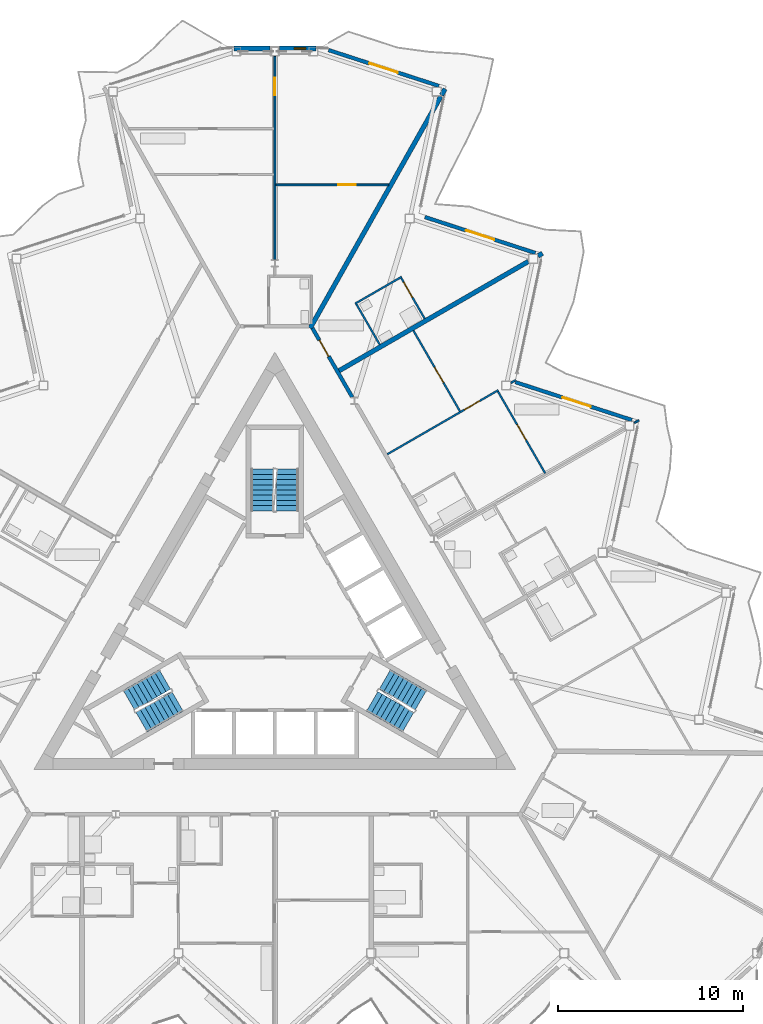
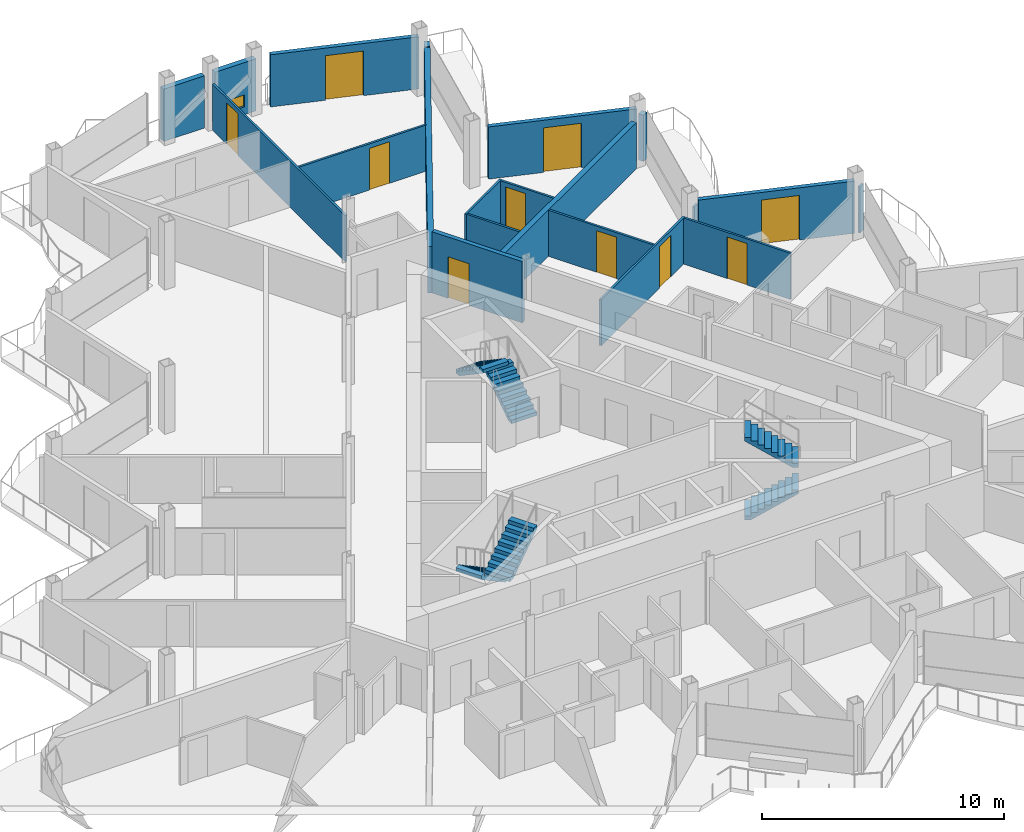
# One storey, part 18 of 26: 20 walls, 10 doors, 6 stair flights, 1 window, 11 openings, 3 elements without a shape of their own.
"""IFC4 building model written with IfcOpenShell, lengths in metres."""

import ifcopenshell
import ifcopenshell.guid

model = None  # the IFC model being written
_history = None  # IfcOwnerHistory: only IFC2X3 demands one
_inside = {}  # id of a spatial element -> (the spatial element, [elements in it])
_under = {}  # id of a project, library or spatial element -> (it, [spatial elements below it])
_declared = {}  # id of a project -> (the project, [libraries it declares])
_typed = {}  # id of a type object -> (the type object, [elements of that type])
_made_of = {}  # id of a material, layer set ... -> (it, [elements and type objects made of it])


def new_model(schema):
    """Start an empty IFC model of exactly this schema.

    Asked for "IFC4X3", IfcOpenShell would pick the latest addendum, in which some entities
    have other attributes; the version numbers below select the first issue.
    IFC2X3 requires an IfcOwnerHistory on every rooted entity: one is made here for all.
    """
    global model, _history
    if schema == "IFC4X3":
        model = ifcopenshell.file(schema_version=(4, 3, 0, 0))
    else:
        model = ifcopenshell.file(schema=schema)
    _inside.clear()
    _under.clear()
    _declared.clear()
    _typed.clear()
    _made_of.clear()
    _history = None
    if model.schema == "IFC2X3":
        org = make("IfcOrganization", Name="unknown")
        user = make(
            "IfcPersonAndOrganization",
            ThePerson=make("IfcPerson", FamilyName="unknown"),
            TheOrganization=org,
        )
        app = make(
            "IfcApplication",
            ApplicationDeveloper=org,
            Version="unknown",
            ApplicationFullName="unknown",
            ApplicationIdentifier="unknown",
        )
        _history = make(
            "IfcOwnerHistory",
            OwningUser=user,
            OwningApplication=app,
            ChangeAction="ADDED",
            CreationDate=0,
        )
    return model


def make(cls, **values):
    """One entity of the class cls with the attributes given. An attribute that is None is left unset."""
    return model.create_entity(
        cls, **{name: value for name, value in values.items() if value is not None}
    )


def rooted(cls, **values):
    """An entity with a GlobalId (a new one), such as an element, a storey or a relation."""
    return make(cls, GlobalId=ifcopenshell.guid.new(), OwnerHistory=_history, **values)


def si_unit(unit_type, name, prefix=None):
    """IfcSIUnit, for example si_unit("LENGTHUNIT", "METRE", prefix="MILLI")."""
    return make("IfcSIUnit", UnitType=unit_type, Prefix=prefix, Name=name)


def assignment(units):
    """IfcUnitAssignment: the units of a project."""
    return None if units is None else make("IfcUnitAssignment", Units=units)


def point(xyz):
    """IfcCartesianPoint."""
    return None if xyz is None else make("IfcCartesianPoint", Coordinates=xyz)


def direction(xyz):
    """IfcDirection."""
    return None if xyz is None else make("IfcDirection", DirectionRatios=xyz)


def frame(location, z_axis=None, x_axis=None):
    """IfcAxis2Placement3D, a coordinate frame: its origin and axes. An axis left out is left unset."""
    return make(
        "IfcAxis2Placement3D",
        Location=point(location),
        Axis=direction(z_axis),
        RefDirection=direction(x_axis),
    )


def frame_2d(location, x_axis=None):
    """IfcAxis2Placement2D, a coordinate frame in the plane: its origin and x axis."""
    return make(
        "IfcAxis2Placement2D", Location=point(location), RefDirection=direction(x_axis)
    )


def origin():
    """The frame at (0, 0, 0) with its axes left unset."""
    return frame((0.0, 0.0, 0.0))


def place(relative_to, where):
    """IfcLocalPlacement: puts the frame where relative to a parent placement (None: the world)."""
    return make(
        "IfcLocalPlacement", PlacementRelTo=relative_to, RelativePlacement=where
    )


def context(
    kind, dimensions, precision=None, world=None, true_north=None, identifier=None
):
    """IfcGeometricRepresentationContext, for example the 3D "Model" context."""
    return make(
        "IfcGeometricRepresentationContext",
        ContextIdentifier=identifier,
        ContextType=kind,
        CoordinateSpaceDimension=dimensions,
        Precision=precision,
        WorldCoordinateSystem=world,
        TrueNorth=true_north,
    )


def subcontext(parent, identifier, kind, view, scale=None):
    """IfcGeometricRepresentationSubContext, for example "Body" below "Model"."""
    return make(
        "IfcGeometricRepresentationSubContext",
        ContextIdentifier=identifier,
        ContextType=kind,
        ParentContext=parent,
        TargetScale=scale,
        TargetView=view,
    )


def project(units=None, contexts=None):
    """IfcProject with its units and contexts."""
    return rooted(
        "IfcProject",
        Name="project",
        RepresentationContexts=contexts,
        UnitsInContext=assignment(units),
    )


def spatial(cls, under=None, at=None, **own):
    """A site, building, storey or space (cls), placed at a placement, below another one or the project."""
    s = rooted(cls, ObjectPlacement=at, **own)
    if under is not None:
        _under.setdefault(under.id(), (under, []))[1].append(s)
    return s


def polyline(points):
    """IfcPolyline through the points."""
    return make("IfcPolyline", Points=[point(p) for p in points])


def profile(cls, at=None, kind="AREA", **sizes):
    """A parametric profile (cls). Its sizes go by their IFC names, for example OverallWidth=200.0."""
    return make(cls, ProfileType=kind, Position=at, **sizes)


def rectangle(**sizes):
    """IfcRectangleProfileDef."""
    return profile("IfcRectangleProfileDef", **sizes)


def outline(outer, holes=None, kind="AREA"):
    """IfcArbitraryClosedProfileDef: a profile drawn as a closed curve; with holes, ...WithVoids."""
    if holes is None:
        return make("IfcArbitraryClosedProfileDef", ProfileType=kind, OuterCurve=outer)
    return make(
        "IfcArbitraryProfileDefWithVoids",
        ProfileType=kind,
        OuterCurve=outer,
        InnerCurves=holes,
    )


def extrude(swept, where, along, depth):
    """IfcExtrudedAreaSolid: the profile swept, set in the frame where, extruded along a direction by depth."""
    return make(
        "IfcExtrudedAreaSolid",
        SweptArea=swept,
        Position=where,
        ExtrudedDirection=direction(along),
        Depth=depth,
    )


def shape(context_of_items, identifier, shape_type, items):
    """IfcShapeRepresentation: the items that make up one representation, for example the "Body"."""
    return make(
        "IfcShapeRepresentation",
        ContextOfItems=context_of_items,
        RepresentationIdentifier=identifier,
        RepresentationType=shape_type,
        Items=items,
    )


def material(Name=None, Category=None):
    """IfcMaterial."""
    return make("IfcMaterial", Name=Name, Category=Category)


def layer(
    of_material, thickness, ventilated=None, Name=None, Category=None, Priority=None
):
    """IfcMaterialLayer: one layer of a wall or slab, of a material (None: an air gap)."""
    return make(
        "IfcMaterialLayer",
        Material=of_material,
        LayerThickness=thickness,
        IsVentilated=ventilated,
        Name=Name,
        Category=Category,
        Priority=Priority,
    )


def layer_set(layers, Name=None):
    """IfcMaterialLayerSet."""
    return make("IfcMaterialLayerSet", MaterialLayers=layers, LayerSetName=Name)


def made_of(thing, what):
    """Note that an element or type object is made of a material, layer set ...; save() writes the relation."""
    if what is not None:
        _made_of.setdefault(what.id(), (what, []))[1].append(thing)
    return thing


def type_object(cls, material=None, **own):
    """A type object (cls), such as IfcWallType, which elements share."""
    return made_of(rooted(cls, **own), material)


def element(
    cls,
    number,
    at=None,
    inside=None,
    cuts=None,
    type_object=None,
    material=None,
    context=None,
    identifier="Body",
    shape_type=None,
    held_by="IfcProductDefinitionShape",
    body=None,
    shapes=None,
    **own,
):
    """One element of the class cls, such as IfcWall. Its Tag is "e" and its number.

    at: its placement. inside: the storey or other place that contains it. cuts: it is an
    opening in that element (IfcRelVoidsElement). A single representation is given by context,
    identifier, shape_type and body (its items); several are given by shapes. held_by: the class
    of the entity that holds the representations. save() writes the other relations.
    """
    e = rooted(cls, Tag="e%d" % number, ObjectPlacement=at, **own)
    if body is not None:
        shapes = [shape(context, identifier, shape_type, body)]
    if shapes is not None:
        e.Representation = make(held_by, Representations=shapes)
    if inside is not None:
        _inside.setdefault(inside.id(), (inside, []))[1].append(e)
    if cuts is not None:
        rooted(
            "IfcRelVoidsElement", RelatingBuildingElement=cuts, RelatedOpeningElement=e
        )
    if type_object is not None:
        _typed.setdefault(type_object.id(), (type_object, []))[1].append(e)
    return made_of(e, material)


def fill(opening, filler):
    """IfcRelFillsElement: the door or window that sits in an opening."""
    return rooted(
        "IfcRelFillsElement",
        RelatingOpeningElement=opening,
        RelatedBuildingElement=filler,
    )


def aggregate(whole, parts):
    """IfcRelAggregates: a whole, such as a stair, and the parts it consists of."""
    return rooted("IfcRelAggregates", RelatingObject=whole, RelatedObjects=parts)


def save(model, path):
    """Write the relations noted so far, then the file.

    IfcRelAggregates (storeys below a building ...), IfcRelContainedInSpatialStructure (elements
    in a storey), IfcRelDefinesByType, IfcRelAssociatesMaterial and IfcRelDeclares: one each for
    every whole, place, type object, material and project.
    """
    for whole, parts in _under.values():
        aggregate(whole, parts)
    for where, things in _inside.values():
        rooted(
            "IfcRelContainedInSpatialStructure",
            RelatedElements=things,
            RelatingStructure=where,
        )
    for kind, things in _typed.values():
        rooted("IfcRelDefinesByType", RelatedObjects=things, RelatingType=kind)
    for what, things in _made_of.values():
        rooted("IfcRelAssociatesMaterial", RelatedObjects=things, RelatingMaterial=what)
    for by, libraries in _declared.values():
        rooted("IfcRelDeclares", RelatingContext=by, RelatedDefinitions=libraries)
    model.write(path)


model = new_model("IFC4")

# Units and contexts
model_context = context("Model", 3, precision=1e-05, world=origin(), true_north=direction((0.0, 1.0)))
body_context = subcontext(model_context, "Body", "Model", "MODEL_VIEW")
ifc_project = project(units=[si_unit("LENGTHUNIT", "METRE"), si_unit("AREAUNIT", "SQUARE_METRE"), si_unit("VOLUMEUNIT", "CUBIC_METRE"), si_unit("PLANEANGLEUNIT", "RADIAN"), si_unit("MASSUNIT", "GRAM", prefix="KILO")], contexts=[model_context])

# Site, building, storey
site_placement = place(None, origin())
site = spatial("IfcSite", under=ifc_project, at=site_placement, CompositionType="ELEMENT")
building_placement = place(site_placement, origin())
building = spatial("IfcBuilding", under=site, at=building_placement, Name="Cormorant Prow Tower", CompositionType="ELEMENT")
storey_placement = place(building_placement, frame((0.0, 0.0, 378.0)))
storey = spatial("IfcBuildingStorey", under=building, at=storey_placement, Name="L85", CompositionType="ELEMENT", Elevation=378.0)

# Wall, opening, door
ifc_material_1 = material(Name="Gypsum board corridor wall")
ifc_layer_1 = layer(ifc_material_1, 0.199951171875)
ifc_layer_set_1 = layer_set([ifc_layer_1], Name="Gypsum board corridor wall")
wall_type_1 = type_object("IfcWallType", Name="Corridor wall 200", PredefinedType="PARTITIONING", material=ifc_layer_set_1)
wall_1_placement = place(storey_placement, frame((2.025390625, 16.302978515625, 0.0), z_axis=(0.0, 0.0, 1.0), x_axis=(0.500004215162, -0.866022970146, 0.0)))
wall_1 = element("IfcWall", 1, at=wall_1_placement, inside=storey, type_object=wall_type_1, Name="Corridor wall", PredefinedType="PARTITIONING", context=body_context, shape_type="SweptSolid", body=[
    extrude(rectangle(XDim=4.30029296875, YDim=0.199951171875, at=frame_2d((2.150146484375, 0.0))), origin(), (0.0, 0.0, 1.0), 3.10009765625),
])
opening_1_placement = place(wall_1_placement, frame((0.75, 0.0, 0.0)))
opening_1 = element("IfcOpeningElement", 2, at=opening_1_placement, cuts=wall_1, Name="Opening L85-F35", PredefinedType="OPENING", context=body_context, shape_type="SweptSolid", body=[
    extrude(rectangle(XDim=1.0, YDim=2.10009765625, at=frame_2d((0.5, 1.050048828125))), frame((0.0, 0.10986328125, 0.0), z_axis=(0.0, -1.0, 0.0), x_axis=(1.0, 0.0, 0.0)), (0.0, 0.0, 1.0), 0.219970703125),
])
ifc_material_2 = material(Name="Timber door leaf", Category="wood")
door_type_1 = type_object("IfcDoorType", Name="Flat or room entrance door 1000x2100", OperationType="NOTDEFINED", PredefinedType="DOOR", material=ifc_material_2)
door_1_placement = place(opening_1_placement, origin())
door_1 = element("IfcDoor", 3, at=door_1_placement, inside=storey, type_object=door_type_1, Name="Studio living, kitchen and sleeping room door", OperationType="SINGLE_SWING_RIGHT", OverallHeight=2.10009765625, OverallWidth=1.0, PredefinedType="DOOR", context=body_context, shape_type="SweptSolid", body=[
    extrude(rectangle(XDim=1.0, YDim=2.10009765625, at=frame_2d((0.5, 1.050048828125))), frame((0.0, 0.02490234375, 0.0), z_axis=(0.0, -1.0, 0.0), x_axis=(1.0, 0.0, 0.0)), (0.0, 0.0, 1.0), 0.050048828125),
])
fill(opening_1, door_1)

ifc_material_3 = material(Name="Gypsum board partition")
ifc_layer_2 = layer(ifc_material_3, 0.10009765625)
ifc_layer_set_2 = layer_set([ifc_layer_2], Name="Gypsum board partition")
wall_type_2 = type_object("IfcWallType", Name="Internal partition 100", PredefinedType="PARTITIONING", material=ifc_layer_set_2)
wall_2_placement = place(storey_placement, frame((0.0, 20.008056640625, 0.0), z_axis=(0.0, 0.0, 1.0), x_axis=(0.0, 1.0, 0.0)))
wall_2 = element("IfcWall", 4, at=wall_2_placement, inside=storey, type_object=wall_type_2, Name="Internal partition", PredefinedType="PARTITIONING", context=body_context, shape_type="SweptSolid", body=[
    extrude(rectangle(XDim=10.951416015625, YDim=0.10009765625, at=frame_2d((5.4755859375, 0.0))), origin(), (0.0, 0.0, 1.0), 2.330078125),
])
opening_2_placement = place(wall_2_placement, frame((8.851318359375, 0.0, 0.0)))
opening_2 = element("IfcOpeningElement", 5, at=opening_2_placement, cuts=wall_2, Name="Opening L85-F41", PredefinedType="OPENING", context=body_context, shape_type="SweptSolid", body=[
    extrude(rectangle(XDim=0.949951171875, YDim=2.10009765625, at=frame_2d((0.47509765625, 1.050048828125))), frame((0.0, 0.06005859375, 0.0), z_axis=(0.0, -1.0, 0.0), x_axis=(1.0, 0.0, 0.0)), (0.0, 0.0, 1.0), 0.1201171875),
])
ifc_material_4 = material(Name="Timber door leaf", Category="wood")
door_type_2 = type_object("IfcDoorType", Name="Bathroom door 950x2100", OperationType="NOTDEFINED", PredefinedType="DOOR", material=ifc_material_4)
door_2_placement = place(opening_2_placement, origin())
door_2 = element("IfcDoor", 6, at=door_2_placement, inside=storey, type_object=door_type_2, Name="Dining room door", OperationType="SINGLE_SWING_RIGHT", OverallHeight=2.10009765625, OverallWidth=0.949951171875, PredefinedType="DOOR", context=body_context, shape_type="SweptSolid", body=[
    extrude(rectangle(XDim=0.949951171875, YDim=2.10009765625, at=frame_2d((0.47509765625, 1.050048828125))), frame((0.0, 0.02490234375, 0.0), z_axis=(0.0, -1.0, 0.0), x_axis=(1.0, 0.0, 0.0)), (0.0, 0.0, 1.0), 0.050048828125),
])
fill(opening_2, door_2)

wall_3_placement = place(storey_placement, frame((6.065185546875, 9.506103515625, 0.0), z_axis=(0.0, 0.0, 1.0), x_axis=(0.866029020252, 0.499993736042, 0.0)))
wall_3 = element("IfcWall", 7, at=wall_3_placement, inside=storey, type_object=wall_type_2, Name="Internal partition", PredefinedType="PARTITIONING", context=body_context, shape_type="SweptSolid", body=[
    extrude(rectangle(XDim=6.9072265625, YDim=0.10009765625, at=frame_2d((3.45361328125, 0.0))), origin(), (0.0, 0.0, 1.0), 2.330078125),
])
opening_3_placement = place(wall_3_placement, frame((4.7978515625, 0.0, 0.0)))
opening_3 = element("IfcOpeningElement", 8, at=opening_3_placement, cuts=wall_3, Name="Opening L85-F32", PredefinedType="OPENING", context=body_context, shape_type="SweptSolid", body=[
    extrude(rectangle(XDim=0.949951171875, YDim=2.10009765625, at=frame_2d((0.47509765625, 1.050048828125))), frame((0.0, 0.06005859375, 0.0), z_axis=(0.0, -1.0, 0.0), x_axis=(1.0, 0.0, 0.0)), (0.0, 0.0, 1.0), 0.1201171875),
])
door_3_placement = place(opening_3_placement, origin())
door_3 = element("IfcDoor", 9, at=door_3_placement, inside=storey, type_object=door_type_2, Name="Living room door", OperationType="SINGLE_SWING_LEFT", OverallHeight=2.10009765625, OverallWidth=0.949951171875, PredefinedType="DOOR", context=body_context, shape_type="SweptSolid", body=[
    extrude(rectangle(XDim=0.949951171875, YDim=2.10009765625, at=frame_2d((0.47509765625, 1.050048828125))), frame((0.0, 0.02490234375, 0.0), z_axis=(0.0, -1.0, 0.0), x_axis=(1.0, 0.0, 0.0)), (0.0, 0.0, 1.0), 0.050048828125),
])
fill(opening_3, door_3)

wall_4_placement = place(storey_placement, frame((0.050048828125, 24.03125, 0.0), z_axis=(0.0, 0.0, 1.0), x_axis=(1.0, 0.0, 0.0)))
wall_4 = element("IfcWall", 10, at=wall_4_placement, inside=storey, type_object=wall_type_2, Name="Internal partition", PredefinedType="PARTITIONING", context=body_context, shape_type="SweptSolid", body=[
    extrude(rectangle(XDim=6.085693359375, YDim=0.10009765625, at=frame_2d((3.04296875, 0.0))), origin(), (0.0, 0.0, 1.0), 2.330078125),
])
opening_4_placement = place(wall_4_placement, frame((3.3740234375, 0.0, 0.0)))
opening_4 = element("IfcOpeningElement", 11, at=opening_4_placement, cuts=wall_4, Name="Opening L85-F42", PredefinedType="OPENING", context=body_context, shape_type="SweptSolid", body=[
    extrude(rectangle(XDim=0.949951171875, YDim=2.10009765625, at=frame_2d((0.47509765625, 1.050048828125))), frame((0.0, 0.06005859375, 0.0), z_axis=(0.0, -1.0, 0.0), x_axis=(1.0, 0.0, 0.0)), (0.0, 0.0, 1.0), 0.1201171875),
])
door_4_placement = place(opening_4_placement, origin())
door_4 = element("IfcDoor", 12, at=door_4_placement, inside=storey, type_object=door_type_2, Name="Principal bedroom door", OperationType="SINGLE_SWING_RIGHT", OverallHeight=2.10009765625, OverallWidth=0.949951171875, PredefinedType="DOOR", context=body_context, shape_type="SweptSolid", body=[
    extrude(rectangle(XDim=0.949951171875, YDim=2.10009765625, at=frame_2d((0.47509765625, 1.050048828125))), frame((0.0, 0.02490234375, 0.0), z_axis=(0.0, -1.0, 0.0), x_axis=(1.0, 0.0, 0.0)), (0.0, 0.0, 1.0), 0.050048828125),
])
fill(opening_4, door_4)

wall_5_placement = place(storey_placement, frame((7.4677734375, 16.176025390625, 0.0), z_axis=(0.0, 0.0, 1.0), x_axis=(0.499990214365, -0.86603105345, 0.0)))
wall_5 = element("IfcWall", 13, at=wall_5_placement, inside=storey, type_object=wall_type_2, Name="Internal partition", PredefinedType="PARTITIONING", context=body_context, shape_type="SweptSolid", body=[
    extrude(rectangle(XDim=5.02490234375, YDim=0.10009765625, at=frame_2d((2.512451171875, 0.0))), origin(), (0.0, 0.0, 1.0), 2.330078125),
])
opening_5_placement = place(wall_5_placement, frame((2.29296875, 0.0, 0.0)))
opening_5 = element("IfcOpeningElement", 14, at=opening_5_placement, cuts=wall_5, Name="Opening L85-F33", PredefinedType="OPENING", context=body_context, shape_type="SweptSolid", body=[
    extrude(rectangle(XDim=0.949951171875, YDim=2.10009765625, at=frame_2d((0.47509765625, 1.050048828125))), frame((0.0, 0.06005859375, 0.0), z_axis=(0.0, -1.0, 0.0), x_axis=(1.0, 0.0, 0.0)), (0.0, 0.0, 1.0), 0.1201171875),
])
door_5_placement = place(opening_5_placement, origin())
door_5 = element("IfcDoor", 15, at=door_5_placement, inside=storey, type_object=door_type_2, Name="Bedroom door", OperationType="SINGLE_SWING_LEFT", OverallHeight=2.10009765625, OverallWidth=0.949951171875, PredefinedType="DOOR", context=body_context, shape_type="SweptSolid", body=[
    extrude(rectangle(XDim=0.949951171875, YDim=2.10009765625, at=frame_2d((0.47509765625, 1.050048828125))), frame((0.0, 0.02490234375, 0.0), z_axis=(0.0, -1.0, 0.0), x_axis=(1.0, 0.0, 0.0)), (0.0, 0.0, 1.0), 0.050048828125),
])
fill(opening_5, door_5)

wall_6_placement = place(storey_placement, frame((12.02880859375, 12.8916015625, 0.0), z_axis=(0.0, 0.0, 1.0), x_axis=(0.500005610874, -0.86602216432, 0.0)))
wall_6 = element("IfcWall", 16, at=wall_6_placement, inside=storey, type_object=wall_type_2, Name="Internal partition", PredefinedType="PARTITIONING", context=body_context, shape_type="SweptSolid", body=[
    extrude(rectangle(XDim=5.10009765625, YDim=0.10009765625, at=frame_2d((2.550048828125, 0.0))), origin(), (0.0, 0.0, 1.0), 2.330078125),
])
opening_6_placement = place(wall_6_placement, frame((2.074951171875, 0.0, 0.0)))
opening_6 = element("IfcOpeningElement", 17, at=opening_6_placement, cuts=wall_6, Name="Opening L85-F29", PredefinedType="OPENING", context=body_context, shape_type="SweptSolid", body=[
    extrude(rectangle(XDim=0.949951171875, YDim=2.10009765625, at=frame_2d((0.47509765625, 1.050048828125))), frame((0.0, 0.06005859375, 0.0), z_axis=(0.0, -1.0, 0.0), x_axis=(1.0, 0.0, 0.0)), (0.0, 0.0, 1.0), 0.1201171875),
])
door_6_placement = place(opening_6_placement, origin())
door_6 = element("IfcDoor", 18, at=door_6_placement, inside=storey, type_object=door_type_2, Name="Living room door", OperationType="SINGLE_SWING_RIGHT", OverallHeight=2.10009765625, OverallWidth=0.949951171875, PredefinedType="DOOR", context=body_context, shape_type="SweptSolid", body=[
    extrude(rectangle(XDim=0.949951171875, YDim=2.10009765625, at=frame_2d((0.47509765625, 1.050048828125))), frame((0.0, 0.02490234375, 0.0), z_axis=(0.0, -1.0, 0.0), x_axis=(1.0, 0.0, 0.0)), (0.0, 0.0, 1.0), 0.050048828125),
])
fill(opening_6, door_6)

# Wall
wall_7_placement = place(storey_placement, frame((4.323486328125, 17.622802734375, 0.0), z_axis=(0.0, 0.0, 1.0), x_axis=(0.866032775405, 0.499987231761, 0.0)))
element("IfcWall", 19, at=wall_7_placement, inside=storey, type_object=wall_type_2, Name="Internal partition", PredefinedType="PARTITIONING", context=body_context, shape_type="SweptSolid", body=[
    extrude(rectangle(XDim=2.89990234375, YDim=0.10009765625, at=frame_2d((1.449951171875, 0.0))), origin(), (0.0, 0.0, 1.0), 2.330078125),
])

# Wall, opening, door
wall_8_placement = place(storey_placement, frame((6.816650390625, 19.00439453125, 0.0), z_axis=(0.0, 0.0, 1.0), x_axis=(0.499976333282, -0.866039067339, 0.0)))
wall_8 = element("IfcWall", 20, at=wall_8_placement, inside=storey, type_object=wall_type_2, Name="Internal partition", PredefinedType="PARTITIONING", context=body_context, shape_type="SweptSolid", body=[
    extrude(rectangle(XDim=2.52490234375, YDim=0.10009765625, at=frame_2d((1.262451171875, 0.0))), origin(), (0.0, 0.0, 1.0), 2.330078125),
])
opening_7_placement = place(wall_8_placement, frame((0.25, 0.0, 0.0)))
opening_7 = element("IfcOpeningElement", 21, at=opening_7_placement, cuts=wall_8, Name="Opening L85-F36", PredefinedType="OPENING", context=body_context, shape_type="SweptSolid", body=[
    extrude(rectangle(XDim=0.949951171875, YDim=2.10009765625, at=frame_2d((0.47509765625, 1.050048828125))), frame((0.0, 0.06005859375, 0.0), z_axis=(0.0, -1.0, 0.0), x_axis=(1.0, 0.0, 0.0)), (0.0, 0.0, 1.0), 0.1201171875),
])
door_7_placement = place(opening_7_placement, origin())
door_7 = element("IfcDoor", 22, at=door_7_placement, inside=storey, type_object=door_type_2, Name="Studio living, kitchen and sleeping room door", OperationType="SINGLE_SWING_LEFT", OverallHeight=2.10009765625, OverallWidth=0.949951171875, PredefinedType="DOOR", context=body_context, shape_type="SweptSolid", body=[
    extrude(rectangle(XDim=0.949951171875, YDim=2.10009765625, at=frame_2d((0.47509765625, 1.050048828125))), frame((0.0, 0.02490234375, 0.0), z_axis=(0.0, -1.0, 0.0), x_axis=(1.0, 0.0, 0.0)), (0.0, 0.0, 1.0), 0.050048828125),
])
fill(opening_7, door_7)

# Walls
wall_9_placement = place(storey_placement, frame((4.3916015625, 17.6044921875, 0.0), z_axis=(0.0, 0.0, 1.0), x_axis=(0.500048846702, -0.865997200291, 0.0)))
element("IfcWall", 23, at=wall_9_placement, inside=storey, type_object=wall_type_2, Name="Internal partition", PredefinedType="PARTITIONING", context=body_context, shape_type="SweptSolid", body=[
    extrude(rectangle(XDim=2.525146484375, YDim=0.10009765625, at=frame_2d((1.2626953125, 0.0))), origin(), (0.0, 0.0, 1.0), 2.330078125),
])
wall_10_placement = place(storey_placement, frame((12.73388671875, 13.356201171875, 0.0), z_axis=(0.0, 0.0, 1.0), x_axis=(0.865687176694, 0.50058536945, 0.0)))
element("IfcWall", 24, at=wall_10_placement, inside=storey, type_object=wall_type_2, Name="Internal partition", PredefinedType="PARTITIONING", context=body_context, shape_type="SweptSolid", body=[
    extrude(rectangle(XDim=0.277587890625, YDim=0.10009765625, at=frame_2d((0.138671875, 0.0))), origin(), (0.0, 0.0, 1.0), 2.330078125),
])
wall_11_placement = place(storey_placement, frame((19.388671875, 11.194091796875, 0.0), z_axis=(0.0, 0.0, 1.0), x_axis=(0.866068339032, 0.499925626596, 0.0)))
element("IfcWall", 25, at=wall_11_placement, inside=storey, type_object=wall_type_2, Name="Internal partition", PredefinedType="PARTITIONING", context=body_context, shape_type="SweptSolid", body=[
    extrude(rectangle(XDim=0.27734375, YDim=0.10009765625, at=frame_2d((0.138671875, 0.0))), origin(), (0.0, 0.0, 1.0), 2.330078125),
])
ifc_material_5 = material(Name="Acoustic gypsum party wall")
ifc_layer_3 = layer(ifc_material_5, 0.25)
ifc_layer_set_3 = layer_set([ifc_layer_3], Name="Acoustic gypsum party wall")
wall_type_3 = type_object("IfcWallType", Name="Suite party wall 250", PredefinedType="PARTITIONING", material=ifc_layer_set_3)
wall_12_placement = place(storey_placement, frame((1.901611328125, 16.302001953125, 0.0), z_axis=(0.0, 0.0, 1.0), x_axis=(0.491233789602, 0.871027763021, 0.0)))
element("IfcWall", 26, at=wall_12_placement, inside=storey, type_object=wall_type_3, Name="Suite party wall", PredefinedType="PARTITIONING", context=body_context, shape_type="SweptSolid", body=[
    extrude(rectangle(XDim=14.34521484375, YDim=0.25, at=frame_2d((7.172607421875, 0.0))), origin(), (0.0, 0.0, 1.0), 2.330078125),
])
wall_13_placement = place(storey_placement, frame((3.465087890625, 14.009521484375, 0.0), z_axis=(0.0, 0.0, 1.0), x_axis=(0.866032376801, 0.499987922186, 0.0)))
element("IfcWall", 27, at=wall_13_placement, inside=storey, type_object=wall_type_3, Name="Suite party wall", PredefinedType="PARTITIONING", context=body_context, shape_type="SweptSolid", body=[
    extrude(rectangle(XDim=11.781982421875, YDim=0.25, at=frame_2d((5.89111328125, 0.0))), origin(), (0.0, 0.0, 1.0), 2.330078125),
])
wall_14_placement = place(storey_placement, frame((8.988525390625, 28.8681640625, 0.0), z_axis=(0.0, 0.0, 1.0), x_axis=(0.491394522511, 0.870937094885, 0.0)))
element("IfcWall", 28, at=wall_14_placement, inside=storey, type_object=wall_type_3, Name="Suite party wall", PredefinedType="PARTITIONING", context=body_context, shape_type="SweptSolid", body=[
    extrude(rectangle(XDim=0.388427734375, YDim=0.25, at=frame_2d((0.1943359375, 0.0))), origin(), (0.0, 0.0, 1.0), 2.330078125),
])
wall_15_placement = place(storey_placement, frame((14.188720703125, 20.20068359375, 0.0), z_axis=(0.0, 0.0, 1.0), x_axis=(0.865687176694, 0.50058536945, 0.0)))
element("IfcWall", 29, at=wall_15_placement, inside=storey, type_object=wall_type_3, Name="Suite party wall", PredefinedType="PARTITIONING", context=body_context, shape_type="SweptSolid", body=[
    extrude(rectangle(XDim=0.277587890625, YDim=0.25, at=frame_2d((0.138671875, 0.0))), origin(), (0.0, 0.0, 1.0), 2.330078125),
])

# Wall, opening, window
ifc_material_6 = material(Name="Terracotta", Category="masonry")
ifc_layer_4 = layer(ifc_material_6, 0.25)
ifc_layer_set_4 = layer_set([ifc_layer_4], Name="Terracotta")
wall_type_4 = type_object("IfcWallType", Name="Terracotta bay wall 250", PredefinedType="SOLIDWALL", material=ifc_layer_set_4)
wall_16_placement = place(storey_placement, frame((2.208251953125, 31.38330078125, 0.0), z_axis=(0.0, 0.0, 1.0), x_axis=(-1.0, 0.0, 0.0)))
wall_16 = element("IfcWall", 30, at=wall_16_placement, inside=storey, type_object=wall_type_4, Name="Terracotta bay wall N00", PredefinedType="SOLIDWALL", context=body_context, shape_type="SweptSolid", body=[
    extrude(rectangle(XDim=1.958251953125, YDim=0.25, at=frame_2d((0.97900390625, 0.0))), origin(), (0.0, 0.0, 1.0), 2.6337890625),
])
opening_8_placement = place(wall_16_placement, frame((0.550048828125, 0.0, 0.39990234375)))
opening_8 = element("IfcOpeningElement", 31, at=opening_8_placement, cuts=wall_16, Name="Opening WN10", PredefinedType="OPENING", context=body_context, shape_type="SweptSolid", body=[
    extrude(rectangle(XDim=0.60009765625, YDim=0.60009765625, at=frame_2d((0.300048828125, 0.300048828125))), frame((0.0, 0.135009765625, 0.0), z_axis=(0.0, -1.0, 0.0), x_axis=(1.0, 0.0, 0.0)), (0.0, 0.0, 1.0), 0.27001953125),
])
ifc_material_7 = material(Name="Aluminium 6063-T6", Category="aluminium")
window_type = type_object("IfcWindowType", Name="Corner bay window 600x600", PartitioningType="SINGLE_PANEL", PredefinedType="WINDOW", material=ifc_material_7)
window_placement = place(opening_8_placement, origin())
window = element("IfcWindow", 32, at=window_placement, inside=storey, type_object=window_type, Name="Corner bay window N00", OverallHeight=0.60009765625, OverallWidth=0.60009765625, PartitioningType="SINGLE_PANEL", PredefinedType="WINDOW", context=body_context, shape_type="SweptSolid", body=[
    extrude(rectangle(XDim=0.60009765625, YDim=0.60009765625, at=frame_2d((0.300048828125, 0.300048828125))), frame((0.0, 0.030029296875, 0.0), z_axis=(0.0, -1.0, 0.0), x_axis=(1.0, 0.0, 0.0)), (0.0, 0.0, 1.0), 0.06005859375),
])
fill(opening_8, window)

# Wall
wall_17_placement = place(storey_placement, frame((-0.25, 31.38330078125, 0.0), z_axis=(0.0, 0.0, 1.0), x_axis=(-1.0, 0.0, 0.0)))
element("IfcWall", 33, at=wall_17_placement, inside=storey, type_object=wall_type_4, Name="Terracotta bay wall N01", PredefinedType="SOLIDWALL", context=body_context, shape_type="SweptSolid", body=[
    extrude(rectangle(XDim=1.958251953125, YDim=0.25, at=frame_2d((0.97900390625, 0.0))), origin(), (0.0, 0.0, 1.0), 2.6337890625),
])

# Wall, opening, door
ifc_material_8 = material(Name="Terracotta", Category="masonry")
ifc_layer_5 = layer(ifc_material_8, 0.199951171875)
ifc_layer_set_5 = layer_set([ifc_layer_5], Name="Terracotta")
wall_type_5 = type_object("IfcWallType", Name="Terracotta jamb wall 200", PredefinedType="SOLIDWALL", material=ifc_layer_set_5)
wall_18_placement = place(storey_placement, frame((19.25, 11.350830078125, 0.0), z_axis=(0.0, 0.0, 1.0), x_axis=(-0.951060668786, 0.309004214029, 0.0)))
wall_18 = element("IfcWall", 34, at=wall_18_placement, inside=storey, type_object=wall_type_5, Name="Terracotta jamb wall ENE05", PredefinedType="SOLIDWALL", context=body_context, shape_type="SweptSolid", body=[
    extrude(rectangle(XDim=6.609130859375, YDim=0.199951171875, at=frame_2d((3.3046875, 0.0))), origin(), (0.0, 0.0, 1.0), 2.6337890625),
])
opening_9_placement = place(wall_18_placement, frame((2.332763671875, 0.0, 0.0)))
opening_9 = element("IfcOpeningElement", 35, at=opening_9_placement, cuts=wall_18, Name="Opening ED85.08", PredefinedType="OPENING", context=body_context, shape_type="SweptSolid", body=[
    extrude(rectangle(XDim=1.60009765625, YDim=2.25, at=frame_2d((0.800048828125, 1.125))), frame((0.0, 0.10986328125, 0.0), z_axis=(0.0, -1.0, 0.0), x_axis=(1.0, 0.0, 0.0)), (0.0, 0.0, 1.0), 0.219970703125),
])
ifc_material_9 = material(Name="Aluminium 6063-T6", Category="aluminium")
door_type_3 = type_object("IfcDoorType", Name="Balcony door 1600x2250", OperationType="DOUBLE_DOOR_SINGLE_SWING", PredefinedType="DOOR", material=ifc_material_9)
door_8_placement = place(opening_9_placement, origin())
door_8 = element("IfcDoor", 36, at=door_8_placement, inside=storey, type_object=door_type_3, Name="Balcony door ENE05 ED85.08", OperationType="DOUBLE_DOOR_SINGLE_SWING", OverallHeight=2.25, OverallWidth=1.60009765625, PredefinedType="DOOR", context=body_context, shape_type="SweptSolid", body=[
    extrude(rectangle(XDim=1.60009765625, YDim=2.25, at=frame_2d((0.800048828125, 1.125))), frame((0.0, 0.02490234375, 0.0), z_axis=(0.0, -1.0, 0.0), x_axis=(1.0, 0.0, 0.0)), (0.0, 0.0, 1.0), 0.050048828125),
])
fill(opening_9, door_8)

wall_19_placement = place(storey_placement, frame((14.050048828125, 20.357421875, 0.0), z_axis=(0.0, 0.0, 1.0), x_axis=(-0.951060123915, 0.309005891041, 0.0)))
wall_19 = element("IfcWall", 37, at=wall_19_placement, inside=storey, type_object=wall_type_5, Name="Terracotta jamb wall ENE07", PredefinedType="SOLIDWALL", context=body_context, shape_type="SweptSolid", body=[
    extrude(rectangle(XDim=6.265380859375, YDim=0.199951171875, at=frame_2d((3.1328125, 0.0))), origin(), (0.0, 0.0, 1.0), 2.6337890625),
])
opening_10_placement = place(wall_19_placement, frame((2.332763671875, 0.0, 0.0)))
opening_10 = element("IfcOpeningElement", 38, at=opening_10_placement, cuts=wall_19, Name="Opening ED85.09", PredefinedType="OPENING", context=body_context, shape_type="SweptSolid", body=[
    extrude(rectangle(XDim=1.60009765625, YDim=2.25, at=frame_2d((0.800048828125, 1.125))), frame((0.0, 0.10986328125, 0.0), z_axis=(0.0, -1.0, 0.0), x_axis=(1.0, 0.0, 0.0)), (0.0, 0.0, 1.0), 0.219970703125),
])
door_9_placement = place(opening_10_placement, origin())
door_9 = element("IfcDoor", 39, at=door_9_placement, inside=storey, type_object=door_type_3, Name="Balcony door ENE07 ED85.09", OperationType="DOUBLE_DOOR_SINGLE_SWING", OverallHeight=2.25, OverallWidth=1.60009765625, PredefinedType="DOOR", context=body_context, shape_type="SweptSolid", body=[
    extrude(rectangle(XDim=1.60009765625, YDim=2.25, at=frame_2d((0.800048828125, 1.125))), frame((0.0, 0.02490234375, 0.0), z_axis=(0.0, -1.0, 0.0), x_axis=(1.0, 0.0, 0.0)), (0.0, 0.0, 1.0), 0.050048828125),
])
fill(opening_10, door_9)

wall_20_placement = place(storey_placement, frame((8.85009765625, 29.364013671875, 0.0), z_axis=(0.0, 0.0, 1.0), x_axis=(-0.951048671744, 0.309041136379, 0.0)))
wall_20 = element("IfcWall", 40, at=wall_20_placement, inside=storey, type_object=wall_type_5, Name="Terracotta jamb wall ENE09", PredefinedType="SOLIDWALL", context=body_context, shape_type="SweptSolid", body=[
    extrude(rectangle(XDim=6.265380859375, YDim=0.199951171875, at=frame_2d((3.1328125, 0.0))), origin(), (0.0, 0.0, 1.0), 2.6337890625),
])
opening_11_placement = place(wall_20_placement, frame((2.332763671875, 0.0, 0.0)))
opening_11 = element("IfcOpeningElement", 41, at=opening_11_placement, cuts=wall_20, Name="Opening ED85.10", PredefinedType="OPENING", context=body_context, shape_type="SweptSolid", body=[
    extrude(rectangle(XDim=1.60009765625, YDim=2.25, at=frame_2d((0.800048828125, 1.125))), frame((0.0, 0.10986328125, 0.0), z_axis=(0.0, -1.0, 0.0), x_axis=(1.0, 0.0, 0.0)), (0.0, 0.0, 1.0), 0.219970703125),
])
door_10_placement = place(opening_11_placement, origin())
door_10 = element("IfcDoor", 42, at=door_10_placement, inside=storey, type_object=door_type_3, Name="Balcony door ENE09 ED85.10", OperationType="DOUBLE_DOOR_SINGLE_SWING", OverallHeight=2.25, OverallWidth=1.60009765625, PredefinedType="DOOR", context=body_context, shape_type="SweptSolid", body=[
    extrude(rectangle(XDim=1.60009765625, YDim=2.25, at=frame_2d((0.800048828125, 1.125))), frame((0.0, 0.02490234375, 0.0), z_axis=(0.0, -1.0, 0.0), x_axis=(1.0, 0.0, 0.0)), (0.0, 0.0, 1.0), 0.050048828125),
])
fill(opening_11, door_10)

# Stair, stair flights
ifc_material_10 = material(Name="Exit stair 18 risers")
stair_type = type_object("IfcStairType", Name="Exit stair 18 risers", PredefinedType="HALF_TURN_STAIR", material=ifc_material_10)
stair_1_placement = place(storey_placement, origin())
stair_1 = element("IfcStair", 43, at=stair_1_placement, inside=storey, type_object=stair_type, Name="L85 Exit stair ST1", PredefinedType="HALF_TURN_STAIR")
ifc_material_11 = material(Name="Concrete 5000 psi", Category="concrete")
stair_flight_type = type_object("IfcStairFlightType", Name="Stair flight 1219", PredefinedType="STRAIGHT", material=ifc_material_11)
stair_flight_1_placement = place(storey_placement, frame((-5.93310546875, -2.635009765625, 0.0), z_axis=(0.0, 0.0, 1.0), x_axis=(-0.866025403784, -0.5, 0.0)))
stair_flight_1 = element("IfcStairFlight", 44, at=stair_flight_1_placement, type_object=stair_flight_type, Name="ST1 flight 1", NumberOfRisers=9, NumberOfTreads=8, PredefinedType="STRAIGHT", RiserHeight=0.188888889, TreadLength=0.28, context=body_context, shape_type="SweptSolid", body=[
    extrude(outline(polyline([(0.0, 0.0), (0.0, 0.18896484375), (0.280029296875, 0.18896484375), (0.280029296875, 0.377685546875), (0.56005859375, 0.377685546875), (0.56005859375, 0.566650390625), (0.840087890625, 0.566650390625), (0.840087890625, 0.755615234375), (1.1201171875, 0.755615234375), (1.1201171875, 0.9443359375), (1.39990234375, 0.9443359375), (1.39990234375, 1.13330078125), (1.679931640625, 1.13330078125), (1.679931640625, 1.322265625), (1.9599609375, 1.322265625), (1.9599609375, 1.51123046875), (2.239990234375, 1.51123046875), (2.239990234375, 1.699951171875), (2.239990234375, 1.330322265625), (0.26806640625, 0.0), (0.0, 0.0)])), frame((0.0, 0.609375, 0.0), z_axis=(0.0, -1.0, 0.0), x_axis=(1.0, 0.0, 0.0)), (0.0, 0.0, 1.0), 1.218994140625),
])
stair_flight_2_placement = place(storey_placement, frame((-7.1884765625, -4.940673828125, 1.699951171875), z_axis=(0.0, 0.0, 1.0), x_axis=(0.866025403784, 0.5, 0.0)))
stair_flight_2 = element("IfcStairFlight", 45, at=stair_flight_2_placement, type_object=stair_flight_type, Name="ST1 flight 2", NumberOfRisers=9, NumberOfTreads=8, PredefinedType="STRAIGHT", RiserHeight=0.188888889, TreadLength=0.28, context=body_context, shape_type="SweptSolid", body=[
    extrude(outline(polyline([(0.0, 0.0), (0.0, 0.18896484375), (0.280029296875, 0.18896484375), (0.280029296875, 0.377685546875), (0.56005859375, 0.377685546875), (0.56005859375, 0.566650390625), (0.840087890625, 0.566650390625), (0.840087890625, 0.755615234375), (1.1201171875, 0.755615234375), (1.1201171875, 0.9443359375), (1.39990234375, 0.9443359375), (1.39990234375, 1.13330078125), (1.679931640625, 1.13330078125), (1.679931640625, 1.322265625), (1.9599609375, 1.322265625), (1.9599609375, 1.51123046875), (2.239990234375, 1.51123046875), (2.239990234375, 1.699951171875), (2.239990234375, 1.330322265625), (0.26806640625, 0.0), (0.0, 0.0)])), frame((0.0, 0.609375, 0.0), z_axis=(0.0, -1.0, 0.0), x_axis=(1.0, 0.0, 0.0)), (0.0, 0.0, 1.0), 1.218994140625),
])
aggregate(stair_1, [stair_flight_1, stair_flight_2])

stair_2_placement = place(storey_placement, origin())
stair_2 = element("IfcStair", 46, at=stair_2_placement, inside=storey, type_object=stair_type, Name="L85 Exit stair ST2", PredefinedType="HALF_TURN_STAIR")
stair_flight_3_placement = place(storey_placement, frame((5.24853515625, -3.82080078125, 0.0), z_axis=(0.0, 0.0, 1.0), x_axis=(0.866025403784, -0.5, 0.0)))
stair_flight_3 = element("IfcStairFlight", 47, at=stair_flight_3_placement, type_object=stair_flight_type, Name="ST2 flight 1", NumberOfRisers=9, NumberOfTreads=8, PredefinedType="STRAIGHT", RiserHeight=0.188888889, TreadLength=0.28, context=body_context, shape_type="SweptSolid", body=[
    extrude(outline(polyline([(0.0, 0.0), (0.0, 0.18896484375), (0.280029296875, 0.18896484375), (0.280029296875, 0.377685546875), (0.56005859375, 0.377685546875), (0.56005859375, 0.566650390625), (0.840087890625, 0.566650390625), (0.840087890625, 0.755615234375), (1.1201171875, 0.755615234375), (1.1201171875, 0.9443359375), (1.39990234375, 0.9443359375), (1.39990234375, 1.13330078125), (1.679931640625, 1.13330078125), (1.679931640625, 1.322265625), (1.9599609375, 1.322265625), (1.9599609375, 1.51123046875), (2.239990234375, 1.51123046875), (2.239990234375, 1.699951171875), (2.239990234375, 1.330322265625), (0.26806640625, 0.0), (0.0, 0.0)])), frame((0.0, 0.609375, 0.0), z_axis=(0.0, -1.0, 0.0), x_axis=(1.0, 0.0, 0.0)), (0.0, 0.0, 1.0), 1.218994140625),
])
stair_flight_4_placement = place(storey_placement, frame((7.873046875, -3.755126953125, 1.699951171875), z_axis=(0.0, 0.0, 1.0), x_axis=(-0.866025403784, 0.5, 0.0)))
stair_flight_4 = element("IfcStairFlight", 48, at=stair_flight_4_placement, type_object=stair_flight_type, Name="ST2 flight 2", NumberOfRisers=9, NumberOfTreads=8, PredefinedType="STRAIGHT", RiserHeight=0.188888889, TreadLength=0.28, context=body_context, shape_type="SweptSolid", body=[
    extrude(outline(polyline([(0.0, 0.0), (0.0, 0.18896484375), (0.280029296875, 0.18896484375), (0.280029296875, 0.377685546875), (0.56005859375, 0.377685546875), (0.56005859375, 0.566650390625), (0.840087890625, 0.566650390625), (0.840087890625, 0.755615234375), (1.1201171875, 0.755615234375), (1.1201171875, 0.9443359375), (1.39990234375, 0.9443359375), (1.39990234375, 1.13330078125), (1.679931640625, 1.13330078125), (1.679931640625, 1.322265625), (1.9599609375, 1.322265625), (1.9599609375, 1.51123046875), (2.239990234375, 1.51123046875), (2.239990234375, 1.699951171875), (2.239990234375, 1.330322265625), (0.26806640625, 0.0), (0.0, 0.0)])), frame((0.0, 0.609375, 0.0), z_axis=(0.0, -1.0, 0.0), x_axis=(1.0, 0.0, 0.0)), (0.0, 0.0, 1.0), 1.218994140625),
])
aggregate(stair_2, [stair_flight_3, stair_flight_4])

stair_3_placement = place(storey_placement, origin())
stair_3 = element("IfcStair", 49, at=stair_3_placement, inside=storey, type_object=stair_type, Name="L85 Exit stair ST3", PredefinedType="HALF_TURN_STAIR")
stair_flight_5_placement = place(storey_placement, frame((0.6845703125, 6.455810546875, 0.0), z_axis=(0.0, 0.0, 1.0), x_axis=(0.0, 1.0, 0.0)))
stair_flight_5 = element("IfcStairFlight", 50, at=stair_flight_5_placement, type_object=stair_flight_type, Name="ST3 flight 1", NumberOfRisers=9, NumberOfTreads=8, PredefinedType="STRAIGHT", RiserHeight=0.188888889, TreadLength=0.28, context=body_context, shape_type="SweptSolid", body=[
    extrude(outline(polyline([(0.0, 0.0), (0.0, 0.18896484375), (0.280029296875, 0.18896484375), (0.280029296875, 0.377685546875), (0.56005859375, 0.377685546875), (0.56005859375, 0.566650390625), (0.840087890625, 0.566650390625), (0.840087890625, 0.755615234375), (1.1201171875, 0.755615234375), (1.1201171875, 0.9443359375), (1.39990234375, 0.9443359375), (1.39990234375, 1.13330078125), (1.679931640625, 1.13330078125), (1.679931640625, 1.322265625), (1.9599609375, 1.322265625), (1.9599609375, 1.51123046875), (2.239990234375, 1.51123046875), (2.239990234375, 1.699951171875), (2.239990234375, 1.330322265625), (0.26806640625, 0.0), (0.0, 0.0)])), frame((0.0, 0.609375, 0.0), z_axis=(0.0, -1.0, 0.0), x_axis=(1.0, 0.0, 0.0)), (0.0, 0.0, 1.0), 1.218994140625),
])
stair_flight_6_placement = place(storey_placement, frame((-0.6845703125, 8.69580078125, 1.699951171875), z_axis=(0.0, 0.0, 1.0), x_axis=(0.0, -1.0, 0.0)))
stair_flight_6 = element("IfcStairFlight", 51, at=stair_flight_6_placement, type_object=stair_flight_type, Name="ST3 flight 2", NumberOfRisers=9, NumberOfTreads=8, PredefinedType="STRAIGHT", RiserHeight=0.188888889, TreadLength=0.28, context=body_context, shape_type="SweptSolid", body=[
    extrude(outline(polyline([(0.0, 0.0), (0.0, 0.18896484375), (0.280029296875, 0.18896484375), (0.280029296875, 0.377685546875), (0.56005859375, 0.377685546875), (0.56005859375, 0.566650390625), (0.840087890625, 0.566650390625), (0.840087890625, 0.755615234375), (1.1201171875, 0.755615234375), (1.1201171875, 0.9443359375), (1.39990234375, 0.9443359375), (1.39990234375, 1.13330078125), (1.679931640625, 1.13330078125), (1.679931640625, 1.322265625), (1.9599609375, 1.322265625), (1.9599609375, 1.51123046875), (2.239990234375, 1.51123046875), (2.239990234375, 1.699951171875), (2.239990234375, 1.330322265625), (0.26806640625, 0.0), (0.0, 0.0)])), frame((0.0, 0.609375, 0.0), z_axis=(0.0, -1.0, 0.0), x_axis=(1.0, 0.0, 0.0)), (0.0, 0.0, 1.0), 1.218994140625),
])
aggregate(stair_3, [stair_flight_5, stair_flight_6])

save(model, "model.ifc")
